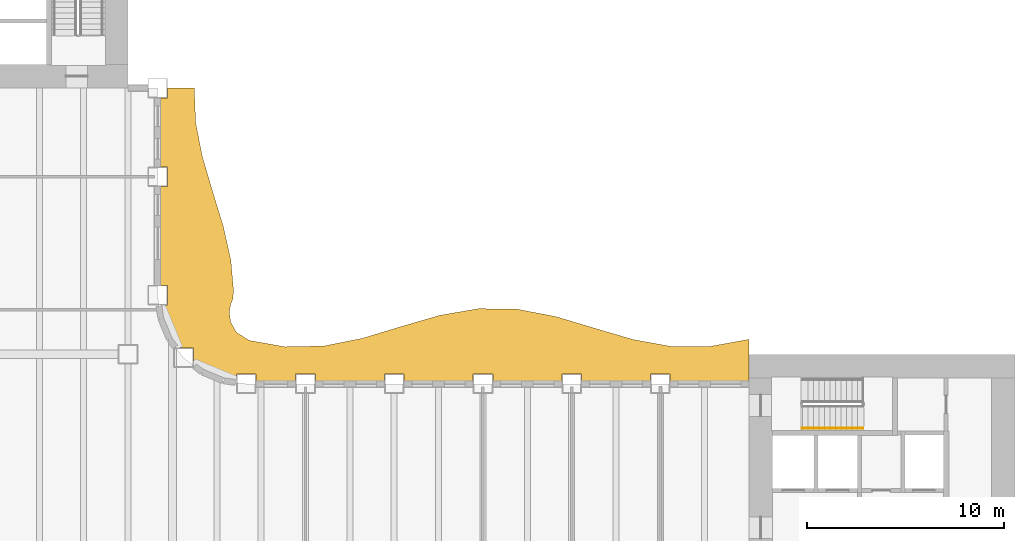
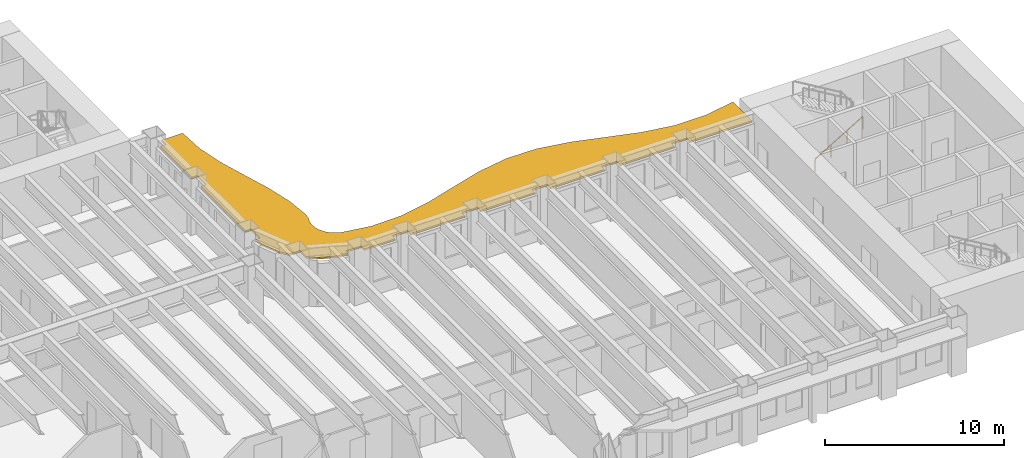
# One storey, part 14 of 16: 1 railing, 1 shading device.
"""IFC4 building model written with IfcOpenShell, lengths in metres."""

from ifc_helpers import new_model, si_unit, direction, frame, origin, origin_2d, place, context, subcontext, project, spatial, polyline, rectangle, outline, extrude, material, layer, layer_set, type_object, element, save


model = new_model("IFC4")

# Units and contexts
model_context = context("Model", 3, precision=1e-05, world=origin(), true_north=direction((0.0, 1.0)))
body_context = subcontext(model_context, "Body", "Model", "MODEL_VIEW")
ifc_project = project(units=[si_unit("LENGTHUNIT", "METRE"), si_unit("AREAUNIT", "SQUARE_METRE"), si_unit("VOLUMEUNIT", "CUBIC_METRE"), si_unit("PLANEANGLEUNIT", "RADIAN"), si_unit("MASSUNIT", "GRAM", prefix="KILO")], contexts=[model_context])

# Site, building, storey
site_placement = place(None, origin())
site = spatial("IfcSite", under=ifc_project, at=site_placement, CompositionType="ELEMENT")
building_placement = place(site_placement, origin())
building = spatial("IfcBuilding", under=site, at=building_placement, Name="Sennacour Bend Tower", CompositionType="ELEMENT")
storey_placement = place(building_placement, frame((0.0, 0.0, 103.0)))
storey = spatial("IfcBuildingStorey", under=building, at=storey_placement, Name="L23", CompositionType="ELEMENT", Elevation=103.0)

# Railing
ifc_material_1 = material(Name="Stainless steel", Category="steel")
railing_type = type_object("IfcRailingType", Name="RL-HANDRAIL-900", PredefinedType="HANDRAIL", material=ifc_material_1)
railing_placement = place(storey_placement, frame((56.699951171875, 18.75, 0.166748046875)))
element("IfcRailing", 1, at=railing_placement, inside=storey, type_object=railing_type, Name="L23 SA2 stair handrail 1", PredefinedType="HANDRAIL", context=body_context, shape_type="SweptSolid", body=[
    extrude(rectangle(XDim=0.048095703125, YDim=0.048095703125, at=origin_2d()), frame((0.0, 0.0, 0.8759765625), z_axis=(0.859308565015, 0.0, 0.511457515432), x_axis=(0.0, 1.0, 0.0)), (0.0, 0.0, 1.0), 3.58447265625),
    extrude(rectangle(XDim=0.0419921875, YDim=0.0419921875, at=origin_2d()), origin(), (0.0, 0.0, 1.0), 0.851806640625),
    extrude(rectangle(XDim=0.0419921875, YDim=0.0419921875, at=origin_2d()), frame((1.026611328125, 0.0, 0.611083984375)), (0.0, 0.0, 1.0), 0.851806640625),
    extrude(rectangle(XDim=0.0419921875, YDim=0.0419921875, at=origin_2d()), frame((2.053466796875, 0.0, 1.22216796875)), (0.0, 0.0, 1.0), 0.851806640625),
    extrude(rectangle(XDim=0.0419921875, YDim=0.0419921875, at=origin_2d()), frame((3.080078125, 0.0, 1.833251953125)), (0.0, 0.0, 1.0), 0.851806640625),
])

# Shading device
ifc_material_2 = material(Name="Bronze anodised aluminium", Category="aluminium")
ifc_layer = layer(ifc_material_2, 0.1201171875, Name="Bronze anodised aluminium", Category="aluminium")
ifc_layer_set = layer_set([ifc_layer], Name="Bronze anodised aluminium")
shading_device_type = type_object("IfcShadingDeviceType", Name="SUNSHADE BAND WAVE", PredefinedType="USERDEFINED", material=ifc_layer_set)
shading_device_placement = place(storey_placement, frame((0.0, 0.0, 3.033935546875)))
element("IfcShadingDevice", 2, at=shading_device_placement, inside=storey, type_object=shading_device_type, Name="Sunshade band L23 concave faces", ObjectType="SUNSHADE", PredefinedType="USERDEFINED", context=body_context, shape_type="SweptSolid", body=[
    extrude(outline(polyline([(54.0, 21.14990234375), (50.0, 21.14990234375), (50.0, 21.5), (49.0, 21.5), (49.0, 21.14990234375), (45.5, 21.14990234375), (45.5, 21.5), (44.5, 21.5), (44.5, 21.14990234375), (41.0, 21.14990234375), (41.0, 21.5), (40.0, 21.5), (40.0, 21.14990234375), (36.5, 21.14990234375), (36.5, 21.5), (35.5, 21.5), (35.5, 21.14990234375), (32.0, 21.14990234375), (32.0, 21.5), (31.0, 21.5), (31.0, 21.14990234375), (29.0, 21.14990234375), (29.0, 21.5), (28.0, 21.5), (28.0, 21.217041015625), (27.37451171875, 21.299560546875), (26.32568359375, 21.73388671875), (25.818115234375, 22.123291015625), (25.818115234375, 22.818115234375), (25.123291015625, 22.818115234375), (24.73388671875, 23.32568359375), (24.299560546875, 24.37451171875), (24.217041015625, 25.0), (24.5, 25.0), (24.5, 26.0), (24.14990234375, 26.0), (24.14990234375, 31.0), (24.5, 31.0), (24.5, 32.0), (24.14990234375, 32.0), (24.14990234375, 35.5), (24.5, 35.5), (24.5, 36.0), (25.861572265625, 36.0), (25.930419921875, 34.25), (26.275390625, 32.5), (26.79345703125, 30.75), (27.328369140625, 29.0), (27.719482421875, 27.25), (27.849365234375, 25.752197265625), (27.822998046875, 25.318603515625), (27.710693359375, 25.044189453125), (27.637451171875, 24.637451171875), (27.7080078125, 24.128173828125), (27.994384765625, 23.61279296875), (28.644287109375, 23.202392578125), (30.46142578125, 22.879638671875), (32.423095703125, 22.9208984375), (34.384521484375, 23.310546875), (36.34619140625, 23.902587890625), (38.3076171875, 24.47509765625), (40.269287109375, 24.81298828125), (42.230712890625, 24.78955078125), (44.1923828125, 24.413818359375), (46.15380859375, 23.82666015625), (48.115478515625, 23.248046875), (50.076904296875, 22.8955078125), (52.03857421875, 22.90087890625), (54.0, 23.26220703125), (54.0, 21.14990234375)])), origin(), (0.0, 0.0, 1.0), 0.1201171875),
])

save(model, "model.ifc")
